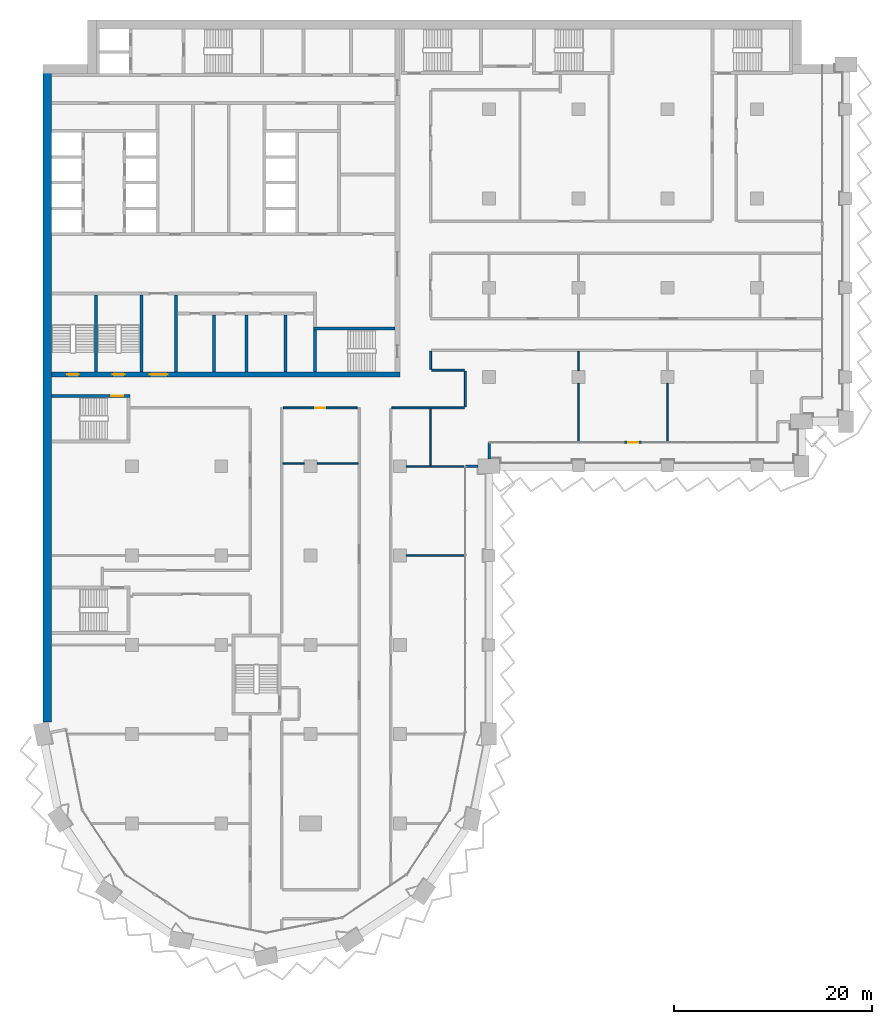
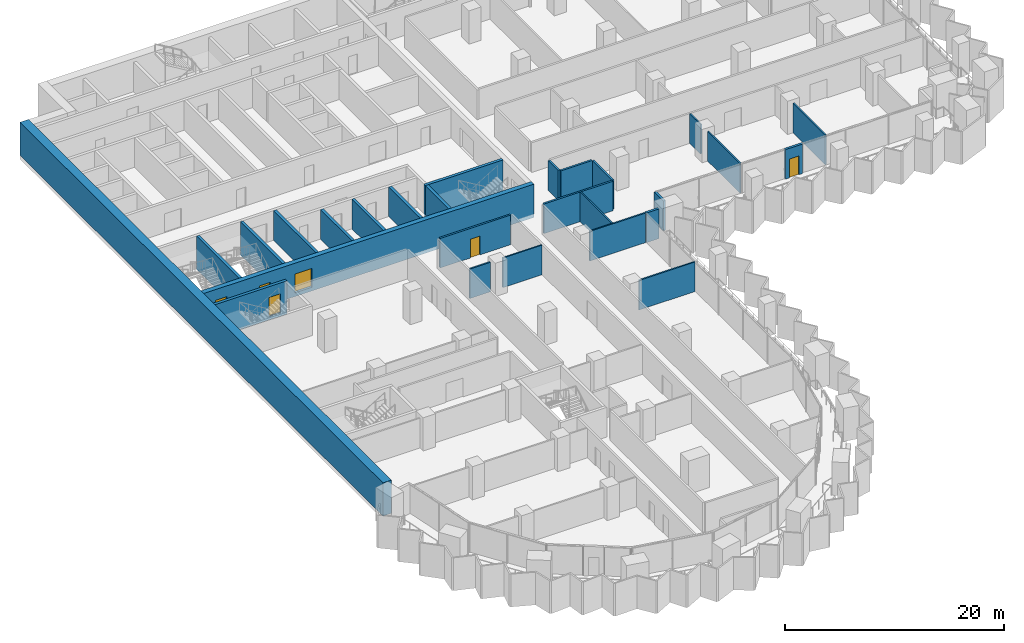
# One storey, part 11 of 23: 27 walls, 6 doors, 6 openings.
"""IFC4 building model written with IfcOpenShell, lengths in metres."""

from ifc_helpers import new_model, si_unit, direction, frame, frame_2d, origin, place, context, subcontext, project, spatial, rectangle, extrude, material, layer, layer_set, type_object, element, fill, save


model = new_model("IFC4")

# Units and contexts
model_context = context("Model", 3, precision=1e-05, world=origin(), true_north=direction((0.0, 1.0)))
body_context = subcontext(model_context, "Body", "Model", "MODEL_VIEW")
ifc_project = project(units=[si_unit("LENGTHUNIT", "METRE"), si_unit("AREAUNIT", "SQUARE_METRE"), si_unit("VOLUMEUNIT", "CUBIC_METRE"), si_unit("PLANEANGLEUNIT", "RADIAN"), si_unit("MASSUNIT", "GRAM", prefix="KILO")], contexts=[model_context])

# Site, building, storey
site_placement = place(None, origin())
site = spatial("IfcSite", under=ifc_project, at=site_placement, CompositionType="ELEMENT")
building_placement = place(site_placement, origin())
building = spatial("IfcBuilding", under=site, at=building_placement, Name="Hunhe Ridgeline Campus", CompositionType="ELEMENT")
storey_placement = place(building_placement, frame((0.0, 0.0, 99.60009765625)))
storey = spatial("IfcBuildingStorey", under=building, at=storey_placement, Name="L24", CompositionType="ELEMENT", Elevation=99.60009765625)

# Walls
ifc_material_1 = material(Name="Masonry concrete blockwork", Category="masonry")
ifc_layer_1 = layer(ifc_material_1, 0.300048828125)
ifc_layer_set_1 = layer_set([ifc_layer_1], Name="Core room partition 300 concrete block")
wall_type_1 = type_object("IfcWallType", Name="Core room partition 300 concrete block", PredefinedType="PARTITIONING", material=ifc_layer_set_1)
wall_1_placement = place(storey_placement, frame((13.449951171875, 63.5, 0.0), z_axis=(0.0, 0.0, 1.0), x_axis=(0.0, 1.0, 0.0)))
element("IfcWall", 1, at=wall_1_placement, inside=storey, type_object=wall_type_1, Name="L24 core partition 42", PredefinedType="PARTITIONING", context=body_context, shape_type="SweptSolid", body=[
    extrude(rectangle(XDim=7.75, YDim=0.300048828125, at=frame_2d((3.875, 0.0))), origin(), (0.0, 0.0, 1.0), 3.2998046875),
])
for number, where, z_axis, x_axis, name in (
    (2, (17.25, 63.5, 0.0), (0.0, 0.0, 1.0), (0.0, 1.0, 0.0), "L24 core partition 45"),
    (3, (20.550048828125, 63.5, 0.0), (0.0, 0.0, 1.0), (0.0, 1.0, 0.0), "L24 core partition 48"),
    (4, (24.449951171875, 63.5, 0.0), (0.0, 0.0, 1.0), (0.0, 1.0, 0.0), "L24 core partition 53"),
):
    element("IfcWall", number, at=place(storey_placement, frame(where, z_axis=z_axis, x_axis=x_axis)), inside=storey, type_object=wall_type_1, Name=name, PredefinedType="PARTITIONING", context=body_context, shape_type="SweptSolid", body=[
        extrude(rectangle(XDim=5.75, YDim=0.300048828125, at=frame_2d((2.875, 0.0))), origin(), (0.0, 0.0, 1.0), 3.2998046875),
    ])

# Wall, openings, doors
ifc_material_2 = material(Name="Concrete C80", Category="concrete")
ifc_layer_2 = layer(ifc_material_2, 0.5)
ifc_layer_set_2 = layer_set([ifc_layer_2], Name="Core wall 500 reinforced concrete C80")
wall_type_2 = type_object("IfcWallType", Name="Core wall 500 reinforced concrete C80", PredefinedType="SOLIDWALL", material=ifc_layer_set_2)
wall_2_placement = place(storey_placement, frame((0.89990234375, 63.25, -0.400146484375), z_axis=(0.0, 0.0, 1.0), x_axis=(1.0, 0.0, 0.0)))
wall_2 = element("IfcWall", 5, at=wall_2_placement, inside=storey, type_object=wall_type_2, Name="L24 core wall 7", PredefinedType="SOLIDWALL", context=body_context, shape_type="SweptSolid", body=[
    extrude(rectangle(XDim=35.10009765625, YDim=0.5, at=frame_2d((17.550048828125, 0.0))), origin(), (0.0, 0.0, 1.0), 3.699951171875),
])
opening_1_placement = place(wall_2_placement, frame((9.89990234375, 0.0, 0.39990234375)))
opening_1 = element("IfcOpeningElement", 6, at=opening_1_placement, cuts=wall_2, Name="Opening CD6", PredefinedType="OPENING", context=body_context, shape_type="SweptSolid", body=[
    extrude(rectangle(XDim=1.800048828125, YDim=2.10009765625, at=frame_2d((0.89990234375, 1.050048828125))), frame((0.0, 0.25, 0.0), z_axis=(0.0, -1.0, 0.0), x_axis=(1.0, 0.0, 0.0)), (0.0, 0.0, 1.0), 0.5),
])
opening_2_placement = place(wall_2_placement, frame((1.550048828125, 0.0, 0.39990234375)))
opening_2 = element("IfcOpeningElement", 7, at=opening_2_placement, cuts=wall_2, Name="Opening CD13", PredefinedType="OPENING", context=body_context, shape_type="SweptSolid", body=[
    extrude(rectangle(XDim=1.199951171875, YDim=2.10009765625, at=frame_2d((0.60009765625, 1.050048828125))), frame((0.0, 0.25, 0.0), z_axis=(0.0, -1.0, 0.0), x_axis=(1.0, 0.0, 0.0)), (0.0, 0.0, 1.0), 0.5),
])
opening_3_placement = place(wall_2_placement, frame((6.14990234375, 0.0, 0.39990234375)))
opening_3 = element("IfcOpeningElement", 8, at=opening_3_placement, cuts=wall_2, Name="Opening CD14", PredefinedType="OPENING", context=body_context, shape_type="SweptSolid", body=[
    extrude(rectangle(XDim=1.199951171875, YDim=2.10009765625, at=frame_2d((0.60009765625, 1.050048828125))), frame((0.0, 0.25, 0.0), z_axis=(0.0, -1.0, 0.0), x_axis=(1.0, 0.0, 0.0)), (0.0, 0.0, 1.0), 0.5),
])
ifc_material_3 = material(Name="Anodised aluminium and glass", Category="aluminium")
door_type_1 = type_object("IfcDoorType", Name="Glazed double door 1800x2100", OperationType="DOUBLE_DOOR_SINGLE_SWING", PredefinedType="DOOR", material=ifc_material_3)
door_1_placement = place(opening_1_placement, frame((1.800048828125, 0.0, 0.0), z_axis=(0.0, 0.0, 1.0), x_axis=(-1.0, 0.0, 0.0)))
door_1 = element("IfcDoor", 9, at=door_1_placement, inside=storey, type_object=door_type_1, Name="L24 door VEST-FLOOR", OperationType="DOUBLE_DOOR_SINGLE_SWING", OverallHeight=2.10009765625, OverallWidth=1.800048828125, PredefinedType="DOOR", context=body_context, shape_type="SweptSolid", body=[
    extrude(rectangle(XDim=1.800048828125, YDim=2.10009765625, at=frame_2d((0.89990234375, 1.050048828125))), frame((0.0, 0.02490234375, 0.0), z_axis=(0.0, -1.0, 0.0), x_axis=(1.0, 0.0, 0.0)), (0.0, 0.0, 1.0), 0.050048828125),
])
fill(opening_1, door_1)
ifc_material_4 = material(Name="Hollow metal fire door leaf")
door_type_2 = type_object("IfcDoorType", Name="Stair door 1200x2100 FD60", OperationType="SINGLE_SWING_LEFT", PredefinedType="DOOR", material=ifc_material_4)
door_2_placement = place(opening_2_placement, frame((1.199951171875, 0.0, 0.0), z_axis=(0.0, 0.0, 1.0), x_axis=(-1.0, 0.0, 0.0)))
door_2 = element("IfcDoor", 10, at=door_2_placement, inside=storey, type_object=door_type_2, Name="L24 door S3", OperationType="SINGLE_SWING_RIGHT", OverallHeight=2.10009765625, OverallWidth=1.199951171875, PredefinedType="DOOR", context=body_context, shape_type="SweptSolid", body=[
    extrude(rectangle(XDim=1.199951171875, YDim=2.10009765625, at=frame_2d((0.60009765625, 1.050048828125))), frame((0.0, 0.02490234375, 0.0), z_axis=(0.0, -1.0, 0.0), x_axis=(1.0, 0.0, 0.0)), (0.0, 0.0, 1.0), 0.050048828125),
])
fill(opening_2, door_2)
door_3_placement = place(opening_3_placement, frame((1.199951171875, 0.0, 0.0), z_axis=(0.0, 0.0, 1.0), x_axis=(-1.0, 0.0, 0.0)))
door_3 = element("IfcDoor", 11, at=door_3_placement, inside=storey, type_object=door_type_2, Name="L24 door S4", OperationType="SINGLE_SWING_LEFT", OverallHeight=2.10009765625, OverallWidth=1.199951171875, PredefinedType="DOOR", context=body_context, shape_type="SweptSolid", body=[
    extrude(rectangle(XDim=1.199951171875, YDim=2.10009765625, at=frame_2d((0.60009765625, 1.050048828125))), frame((0.0, 0.02490234375, 0.0), z_axis=(0.0, -1.0, 0.0), x_axis=(1.0, 0.0, 0.0)), (0.0, 0.0, 1.0), 0.050048828125),
])
fill(opening_3, door_3)

# Walls
ifc_material_5 = material(Name="Concrete C30", Category="concrete")
ifc_layer_3 = layer(ifc_material_5, 0.25)
ifc_layer_set_3 = layer_set([ifc_layer_3], Name="Corner return wall 250 Concrete C30")
wall_type_3 = type_object("IfcWallType", Name="Corner return wall 250 Concrete C30", PredefinedType="SOLIDWALL", material=ifc_layer_set_3)
wall_3_placement = place(storey_placement, frame((42.599365234375, 54.000732421875, 0.0), z_axis=(0.0, 0.0, 1.0), x_axis=(0.99999998238, 0.000187722918, 0.0)))
element("IfcWall", 12, at=wall_3_placement, inside=storey, type_object=wall_type_3, Name="Corner return wall 2", PredefinedType="SOLIDWALL", context=body_context, shape_type="SweptSolid", body=[
    extrude(rectangle(XDim=1.300537109375, YDim=0.25, at=frame_2d((0.650390625, 0.0))), origin(), (0.0, 0.0, 1.0), 3.2998046875),
])
wall_4_placement = place(storey_placement, frame((44.999267578125, 54.75, 0.0), z_axis=(0.0, 0.0, 1.0), x_axis=(0.000443655679, 0.999999901585, 0.0)))
element("IfcWall", 13, at=wall_4_placement, inside=storey, type_object=wall_type_3, Name="Corner return wall 3", PredefinedType="SOLIDWALL", context=body_context, shape_type="SweptSolid", body=[
    extrude(rectangle(XDim=1.65087890625, YDim=0.25, at=frame_2d((0.825439453125, 0.0))), origin(), (0.0, 0.0, 1.0), 3.2998046875),
])

# Wall, opening, door
ifc_material_6 = material(Name="Gypsum board partition")
ifc_layer_4 = layer(ifc_material_6, 0.199951171875)
ifc_layer_set_4 = layer_set([ifc_layer_4], Name="Corridor partition 200 gypsum board on steel studs")
wall_type_4 = type_object("IfcWallType", Name="Corridor partition 200 gypsum board on steel studs", PredefinedType="PARTITIONING", material=ifc_layer_set_4)
wall_5_placement = place(storey_placement, frame((31.6982421875, 59.89990234375, 0.0), z_axis=(0.0, 0.0, 1.0), x_axis=(-1.0, 0.0, 0.0)))
wall_5 = element("IfcWall", 14, at=wall_5_placement, inside=storey, type_object=wall_type_4, Name="F-L24-wall-030", PredefinedType="PARTITIONING", context=body_context, shape_type="SweptSolid", body=[
    extrude(rectangle(XDim=7.432861328125, YDim=0.199951171875, at=frame_2d((3.71630859375, 0.0))), origin(), (0.0, 0.0, 1.0), 3.2998046875),
])
opening_4_placement = place(wall_5_placement, frame((3.216552734375, 0.0, 0.0)))
opening_4 = element("IfcOpeningElement", 15, at=opening_4_placement, cuts=wall_5, Name="Opening RD1-019", PredefinedType="OPENING", context=body_context, shape_type="SweptSolid", body=[
    extrude(rectangle(XDim=1.0, YDim=2.10009765625, at=frame_2d((0.5, 1.050048828125))), frame((0.0, 0.10009765625, 0.0), z_axis=(0.0, -1.0, 0.0), x_axis=(1.0, 0.0, 0.0)), (0.0, 0.0, 1.0), 0.199951171875),
])
ifc_material_7 = material(Name="Timber door leaf", Category="wood")
door_type_3 = type_object("IfcDoorType", Name="Single fire door 1000x2100 timber FD60", OperationType="NOTDEFINED", PredefinedType="DOOR", material=ifc_material_7)
door_4_placement = place(opening_4_placement, origin())
door_4 = element("IfcDoor", 16, at=door_4_placement, inside=storey, type_object=door_type_3, Name="F-L24-door-019", OperationType="SINGLE_SWING_LEFT", OverallHeight=2.10009765625, OverallWidth=1.0, PredefinedType="DOOR", context=body_context, shape_type="SweptSolid", body=[
    extrude(rectangle(XDim=1.0, YDim=2.10009765625, at=frame_2d((0.5, 1.050048828125))), frame((0.0, 0.02490234375, 0.0), z_axis=(0.0, -1.0, 0.0), x_axis=(1.0, 0.0, 0.0)), (0.0, 0.0, 1.0), 0.050048828125),
])
fill(opening_4, door_4)

# Walls
wall_6_placement = place(storey_placement, frame((42.5, 59.89990234375, 0.0), z_axis=(0.0, 0.0, 1.0), x_axis=(-1.0, 0.0, 0.0)))
element("IfcWall", 17, at=wall_6_placement, inside=storey, type_object=wall_type_4, Name="F-L24-wall-031", PredefinedType="PARTITIONING", context=body_context, shape_type="SweptSolid", body=[
    extrude(rectangle(XDim=7.300048828125, YDim=0.199951171875, at=frame_2d((3.64990234375, 0.0))), origin(), (0.0, 0.0, 1.0), 3.2998046875),
])
wall_7_placement = place(storey_placement, frame((39.199951171875, 63.699951171875, 0.0), z_axis=(0.0, 0.0, 1.0), x_axis=(1.0, 0.0, 0.0)))
element("IfcWall", 18, at=wall_7_placement, inside=storey, type_object=wall_type_4, Name="F-L24-wall-032", PredefinedType="PARTITIONING", context=body_context, shape_type="SweptSolid", body=[
    extrude(rectangle(XDim=3.300048828125, YDim=0.199951171875, at=frame_2d((1.64990234375, 0.0))), origin(), (0.0, 0.0, 1.0), 3.2998046875),
])
wall_8_placement = place(storey_placement, frame((39.10009765625, 65.60009765625, 0.0), z_axis=(0.0, 0.0, 1.0), x_axis=(0.0, -1.0, 0.0)))
element("IfcWall", 19, at=wall_8_placement, inside=storey, type_object=wall_type_4, Name="F-L24-wall-052", PredefinedType="PARTITIONING", context=body_context, shape_type="SweptSolid", body=[
    extrude(rectangle(XDim=1.800048828125, YDim=0.199951171875, at=frame_2d((0.89990234375, 0.0))), origin(), (0.0, 0.0, 1.0), 3.2998046875),
])
wall_9_placement = place(storey_placement, frame((42.60009765625, 63.60009765625, 0.0), z_axis=(0.0, 0.0, 1.0), x_axis=(0.0, -1.0, 0.0)))
element("IfcWall", 20, at=wall_9_placement, inside=storey, type_object=wall_type_4, Name="F-L24-wall-055", PredefinedType="PARTITIONING", context=body_context, shape_type="SweptSolid", body=[
    extrude(rectangle(XDim=3.60009765625, YDim=0.199951171875, at=frame_2d((1.800048828125, 0.0))), origin(), (0.0, 0.0, 1.0), 3.2998046875),
])

# Wall, opening, door
ifc_layer_5 = layer(ifc_material_5, 0.25)
ifc_layer_set_5 = layer_set([ifc_layer_5], Name="Loggia door pier wall 250 Concrete C30")
wall_type_5 = type_object("IfcWallType", Name="Loggia door pier wall 250 Concrete C30", PredefinedType="SOLIDWALL", material=ifc_layer_set_5)
wall_10_placement = place(storey_placement, frame((58.6494140625, 56.40087890625, 0.0), z_axis=(0.0, 0.0, 1.0), x_axis=(1.0, 0.0, 0.0)))
wall_10 = element("IfcWall", 21, at=wall_10_placement, inside=storey, type_object=wall_type_5, Name="Loggia door pier 3", PredefinedType="SOLIDWALL", context=body_context, shape_type="SweptSolid", body=[
    extrude(rectangle(XDim=1.800048828125, YDim=0.25, at=frame_2d((0.89990234375, 0.0))), origin(), (0.0, 0.0, 1.0), 3.2998046875),
])
opening_5_placement = place(wall_10_placement, frame((0.39990234375, 0.0, 0.0)))
opening_5 = element("IfcOpeningElement", 22, at=opening_5_placement, cuts=wall_10, Name="Opening BD206", PredefinedType="OPENING", context=body_context, shape_type="SweptSolid", body=[
    extrude(rectangle(XDim=1.0, YDim=2.10009765625, at=frame_2d((0.5, 1.050048828125))), frame((0.0, 0.125, 0.0), z_axis=(0.0, -1.0, 0.0), x_axis=(1.0, 0.0, 0.0)), (0.0, 0.0, 1.0), 0.25),
])
ifc_material_8 = material(Name="Aluminium 6063", Category="aluminium")
door_type_4 = type_object("IfcDoorType", Name="Loggia glazed door 1000x2100", OperationType="NOTDEFINED", PredefinedType="DOOR", material=ifc_material_8)
door_5_placement = place(opening_5_placement, frame((1.0, 0.0, 0.0), z_axis=(0.0, 0.0, 1.0), x_axis=(-1.0, 0.0, 0.0)))
door_5 = element("IfcDoor", 23, at=door_5_placement, inside=storey, type_object=door_type_4, Name="Loggia door BD206", OperationType="SINGLE_SWING_LEFT", OverallHeight=2.10009765625, OverallWidth=1.0, PredefinedType="DOOR", context=body_context, shape_type="SweptSolid", body=[
    extrude(rectangle(XDim=1.0, YDim=2.10009765625, at=frame_2d((0.5, 1.050048828125))), frame((0.0, 0.02490234375, 0.0), z_axis=(0.0, -1.0, 0.0), x_axis=(1.0, 0.0, 0.0)), (0.0, 0.0, 1.0), 0.050048828125),
])
fill(opening_5, door_5)

# Walls
ifc_layer_6 = layer(ifc_material_6, 0.14990234375)
ifc_layer_set_6 = layer_set([ifc_layer_6], Name="Room partition 150 gypsum board on steel studs")
wall_type_6 = type_object("IfcWallType", Name="Room partition 150 gypsum board on steel studs", PredefinedType="PARTITIONING", material=ifc_layer_set_6)
wall_11_placement = place(storey_placement, frame((36.64990234375, 45.0, 0.0), z_axis=(0.0, 0.0, 1.0), x_axis=(1.0, 0.0, 0.0)))
element("IfcWall", 24, at=wall_11_placement, inside=storey, type_object=wall_type_6, Name="F-L24-wall-025", PredefinedType="PARTITIONING", context=body_context, shape_type="SweptSolid", body=[
    extrude(rectangle(XDim=5.895263671875, YDim=0.14990234375, at=frame_2d((2.94775390625, 0.0))), origin(), (0.0, 0.0, 1.0), 3.2998046875),
])
wall_12_placement = place(storey_placement, frame((36.64990234375, 54.0, 0.0), z_axis=(0.0, 0.0, 1.0), x_axis=(1.0, 0.0, 0.0)))
element("IfcWall", 25, at=wall_12_placement, inside=storey, type_object=wall_type_6, Name="F-L24-wall-026", PredefinedType="PARTITIONING", context=body_context, shape_type="SweptSolid", body=[
    extrude(rectangle(XDim=5.8955078125, YDim=0.14990234375, at=frame_2d((2.94775390625, 0.0))), origin(), (0.0, 0.0, 1.0), 3.2998046875),
])
wall_13_placement = place(storey_placement, frame((24.199951171875, 54.300048828125, 0.0), z_axis=(0.0, 0.0, 1.0), x_axis=(1.0, 0.0, 0.0)))
element("IfcWall", 26, at=wall_13_placement, inside=storey, type_object=wall_type_6, Name="F-L24-wall-027", PredefinedType="PARTITIONING", context=body_context, shape_type="SweptSolid", body=[
    extrude(rectangle(XDim=2.150146484375, YDim=0.14990234375, at=frame_2d((1.0751953125, 0.0))), origin(), (0.0, 0.0, 1.0), 3.2998046875),
])
wall_14_placement = place(storey_placement, frame((27.64990234375, 54.300048828125, 0.0), z_axis=(0.0, 0.0, 1.0), x_axis=(1.0, 0.0, 0.0)))
element("IfcWall", 27, at=wall_14_placement, inside=storey, type_object=wall_type_6, Name="F-L24-wall-028", PredefinedType="PARTITIONING", context=body_context, shape_type="SweptSolid", body=[
    extrude(rectangle(XDim=4.150146484375, YDim=0.14990234375, at=frame_2d((2.0751953125, 0.0))), origin(), (0.0, 0.0, 1.0), 3.2998046875),
])
wall_15_placement = place(storey_placement, frame((39.10009765625, 59.800048828125, 0.0), z_axis=(0.0, 0.0, 1.0), x_axis=(0.0, -1.0, 0.0)))
element("IfcWall", 28, at=wall_15_placement, inside=storey, type_object=wall_type_6, Name="F-L24-wall-051", PredefinedType="PARTITIONING", context=body_context, shape_type="SweptSolid", body=[
    extrude(rectangle(XDim=5.72509765625, YDim=0.14990234375, at=frame_2d((2.862548828125, 0.0))), origin(), (0.0, 0.0, 1.0), 3.2998046875),
])
wall_16_placement = place(storey_placement, frame((54.0, 62.35009765625, 0.0), z_axis=(0.0, 0.0, 1.0), x_axis=(0.0, -1.0, 0.0)))
element("IfcWall", 29, at=wall_16_placement, inside=storey, type_object=wall_type_6, Name="F-L24-wall-061", PredefinedType="PARTITIONING", context=body_context, shape_type="SweptSolid", body=[
    extrude(rectangle(XDim=5.89501953125, YDim=0.14990234375, at=frame_2d((2.947509765625, 0.0))), origin(), (0.0, 0.0, 1.0), 3.2998046875),
])
wall_17_placement = place(storey_placement, frame((54.0, 65.60009765625, 0.0), z_axis=(0.0, 0.0, 1.0), x_axis=(0.0, -1.0, 0.0)))
element("IfcWall", 30, at=wall_17_placement, inside=storey, type_object=wall_type_6, Name="F-L24-wall-062", PredefinedType="PARTITIONING", context=body_context, shape_type="SweptSolid", body=[
    extrude(rectangle(XDim=1.9501953125, YDim=0.14990234375, at=frame_2d((0.97509765625, 0.0))), origin(), (0.0, 0.0, 1.0), 3.2998046875),
])
wall_18_placement = place(storey_placement, frame((63.0, 62.35009765625, 0.0), z_axis=(0.0, 0.0, 1.0), x_axis=(0.0, -1.0, 0.0)))
element("IfcWall", 31, at=wall_18_placement, inside=storey, type_object=wall_type_6, Name="F-L24-wall-066", PredefinedType="PARTITIONING", context=body_context, shape_type="SweptSolid", body=[
    extrude(rectangle(XDim=5.89501953125, YDim=0.14990234375, at=frame_2d((2.947509765625, 0.0))), origin(), (0.0, 0.0, 1.0), 3.2998046875),
])
ifc_material_9 = material(Name="Concrete C70", Category="concrete")
ifc_layer_7 = layer(ifc_material_9, 0.89990234375)
ifc_layer_set_7 = layer_set([ifc_layer_7], Name="Spine wall 900 Concrete C70")
wall_type_7 = type_object("IfcWallType", Name="Spine wall 900 Concrete C70", PredefinedType="SHEAR", material=ifc_layer_set_7)
wall_19_placement = place(storey_placement, frame((0.449951171875, 94.5, 0.0), z_axis=(0.0, 0.0, 1.0), x_axis=(0.0, -1.0, 0.0)))
element("IfcWall", 32, at=wall_19_placement, inside=storey, type_object=wall_type_7, Name="Spine wall SW2-1 L24", PredefinedType="SHEAR", context=body_context, shape_type="SweptSolid", body=[
    extrude(rectangle(XDim=66.288818359375, YDim=0.89990234375, at=frame_2d((33.14453125, 0.0))), origin(), (0.0, 0.0, 1.0), 3.699951171875),
])

# Wall, opening, door
ifc_layer_8 = layer(ifc_material_2, 0.300048828125)
ifc_layer_set_8 = layer_set([ifc_layer_8], Name="Stair wall 300 reinforced concrete C80")
wall_type_8 = type_object("IfcWallType", Name="Stair wall 300 reinforced concrete C80", PredefinedType="SOLIDWALL", material=ifc_layer_set_8)
wall_20_placement = place(storey_placement, frame((0.89990234375, 61.10009765625, -0.400146484375), z_axis=(0.0, 0.0, 1.0), x_axis=(1.0, 0.0, 0.0)))
wall_20 = element("IfcWall", 33, at=wall_20_placement, inside=storey, type_object=wall_type_8, Name="L24 core wall 6", PredefinedType="SOLIDWALL", context=body_context, shape_type="SweptSolid", body=[
    extrude(rectangle(XDim=7.900146484375, YDim=0.300048828125, at=frame_2d((3.9501953125, 0.0))), origin(), (0.0, 0.0, 1.0), 3.699951171875),
])
opening_6_placement = place(wall_20_placement, frame((6.0, 0.0, 0.39990234375)))
opening_6 = element("IfcOpeningElement", 34, at=opening_6_placement, cuts=wall_20, Name="Opening CD22", PredefinedType="OPENING", context=body_context, shape_type="SweptSolid", body=[
    extrude(rectangle(XDim=1.199951171875, YDim=2.10009765625, at=frame_2d((0.60009765625, 1.050048828125))), frame((0.0, 0.14990234375, 0.0), z_axis=(0.0, -1.0, 0.0), x_axis=(1.0, 0.0, 0.0)), (0.0, 0.0, 1.0), 0.300048828125),
])
door_6_placement = place(opening_6_placement, origin())
door_6 = element("IfcDoor", 35, at=door_6_placement, inside=storey, type_object=door_type_2, Name="L24 door W2", OperationType="SINGLE_SWING_LEFT", OverallHeight=2.10009765625, OverallWidth=1.199951171875, PredefinedType="DOOR", context=body_context, shape_type="SweptSolid", body=[
    extrude(rectangle(XDim=1.199951171875, YDim=2.10009765625, at=frame_2d((0.60009765625, 1.050048828125))), frame((0.0, 0.02490234375, 0.0), z_axis=(0.0, -1.0, 0.0), x_axis=(1.0, 0.0, 0.0)), (0.0, 0.0, 1.0), 0.050048828125),
])
fill(opening_6, door_6)

# Walls
wall_21_placement = place(storey_placement, frame((27.300048828125, 67.89990234375, -0.400146484375), z_axis=(0.0, 0.0, 1.0), x_axis=(1.0, 0.0, 0.0)))
element("IfcWall", 36, at=wall_21_placement, inside=storey, type_object=wall_type_8, Name="L24 core wall 8", PredefinedType="SOLIDWALL", context=body_context, shape_type="SweptSolid", body=[
    extrude(rectangle(XDim=8.199951171875, YDim=0.300048828125, at=frame_2d((4.10009765625, 0.0))), origin(), (0.0, 0.0, 1.0), 3.699951171875),
])
for number, where, z_axis, x_axis, name in (
    (37, (5.35009765625, 63.5, -0.400146484375), (0.0, 0.0, 1.0), (0.0, 1.0, 0.0), "L24 core wall 33"),
    (38, (9.949951171875, 63.5, -0.400146484375), (0.0, 0.0, 1.0), (0.0, 1.0, 0.0), "L24 core wall 39"),
):
    element("IfcWall", number, at=place(storey_placement, frame(where, z_axis=z_axis, x_axis=x_axis)), inside=storey, type_object=wall_type_8, Name=name, PredefinedType="SOLIDWALL", context=body_context, shape_type="SweptSolid", body=[
        extrude(rectangle(XDim=7.75, YDim=0.300048828125, at=frame_2d((3.875, 0.0))), origin(), (0.0, 0.0, 1.0), 3.699951171875),
    ])
wall_22_placement = place(storey_placement, frame((27.449951171875, 63.5, -0.400146484375), z_axis=(0.0, 0.0, 1.0), x_axis=(0.0, 1.0, 0.0)))
element("IfcWall", 39, at=wall_22_placement, inside=storey, type_object=wall_type_8, Name="L24 core wall 56", PredefinedType="SOLIDWALL", context=body_context, shape_type="SweptSolid", body=[
    extrude(rectangle(XDim=4.25, YDim=0.300048828125, at=frame_2d((2.125, 0.0))), origin(), (0.0, 0.0, 1.0), 3.699951171875),
])

save(model, "model.ifc")
